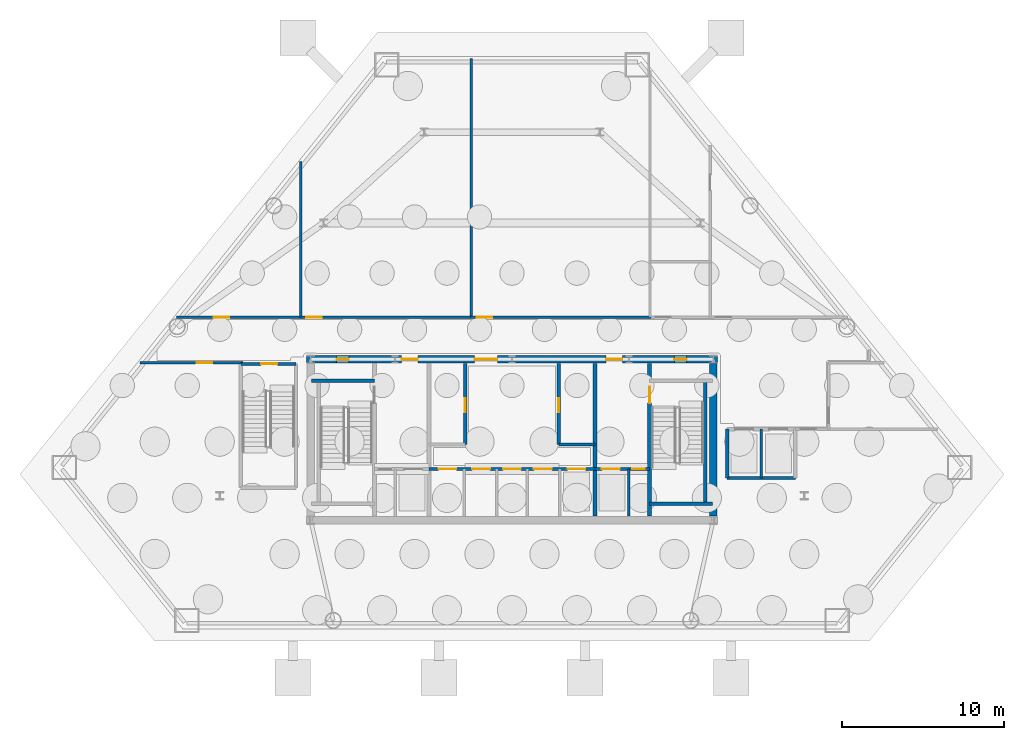
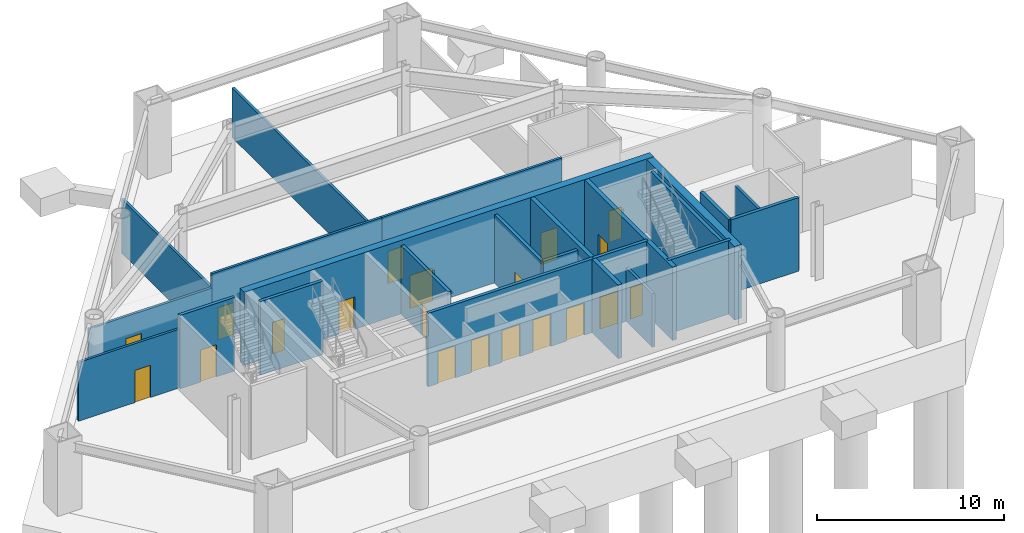
# One storey, part 4 of 8: 23 walls, 20 doors, 20 openings.
"""IFC4 building model written with IfcOpenShell, lengths in metres."""

from ifc_helpers import new_model, si_unit, direction, frame, frame_2d, origin, place, context, subcontext, project, spatial, rectangle, extrude, material, layer, layer_set, type_object, element, fill, save


model = new_model("IFC4")

# Units and contexts
model_context = context("Model", 3, precision=1e-05, world=origin(), true_north=direction((0.0, 1.0)))
body_context = subcontext(model_context, "Body", "Model", "MODEL_VIEW")
ifc_project = project(units=[si_unit("LENGTHUNIT", "METRE"), si_unit("AREAUNIT", "SQUARE_METRE"), si_unit("VOLUMEUNIT", "CUBIC_METRE"), si_unit("PLANEANGLEUNIT", "RADIAN"), si_unit("MASSUNIT", "GRAM", prefix="KILO")], contexts=[model_context])

# Site, building, storey
site_placement = place(None, origin())
site = spatial("IfcSite", under=ifc_project, at=site_placement, CompositionType="ELEMENT")
building_placement = place(site_placement, origin())
building = spatial("IfcBuilding", under=site, at=building_placement, Name="Talgorran Terracotta Tower", CompositionType="ELEMENT")
storey_placement = place(building_placement, frame((0.0, 0.0, -4.800048828125)))
storey = spatial("IfcBuildingStorey", under=building, at=storey_placement, Name="B1", CompositionType="ELEMENT", Elevation=-4.800048828125)

# Walls
ifc_material_1 = material(Name="Concrete C50/60", Category="concrete")
ifc_layer_1 = layer(ifc_material_1, 0.199951171875, Name="WT_CORE_200")
ifc_layer_set_1 = layer_set([ifc_layer_1], Name="Concrete C50/60")
wall_type_1 = type_object("IfcWallType", Name="WT_CORE_200", PredefinedType="SOLIDWALL", material=ifc_layer_set_1)
for number, where, z_axis, x_axis, name in (
    (1, (-12.35009765625, -5.52001953125, 0.0), (0.0, 0.0, 1.0), (1.0, 0.0, 0.0), "WL-B1-CW-ST1-N"),
    (2, (8.47998046875, -13.10009765625, 0.0), (0.0, 0.0, 1.0), (1.0, 0.0, 0.0), "WL-B1-CW-ST2-S"),
):
    element("IfcWall", number, at=place(storey_placement, frame(where, z_axis=z_axis, x_axis=x_axis)), inside=storey, type_object=wall_type_1, Name=name, PredefinedType="SOLIDWALL", context=body_context, shape_type="SweptSolid", body=[
        extrude(rectangle(XDim=3.8701171875, YDim=0.199951171875, at=frame_2d((1.93505859375, 0.0))), origin(), (0.0, 0.0, 1.0), 4.800048828125),
    ])
wall_1_placement = place(storey_placement, frame((11.89990234375, -13.10009765625, 0.0), z_axis=(0.0, 0.0, 1.0), x_axis=(0.0, 1.0, 0.0)))
element("IfcWall", 3, at=wall_1_placement, inside=storey, type_object=wall_type_1, Name="WL-B1-CW-ST2-E", PredefinedType="SOLIDWALL", context=body_context, shape_type="SweptSolid", body=[
    extrude(rectangle(XDim=7.580078125, YDim=0.199951171875, at=frame_2d((3.7900390625, 0.0))), origin(), (0.0, 0.0, 1.0), 4.800048828125),
])

# Wall, openings, doors
wall_2_placement = place(storey_placement, frame((-5.1201171875, -10.949951171875, 0.0), z_axis=(0.0, 0.0, 1.0), x_axis=(1.0, 0.0, 0.0)))
wall_2 = element("IfcWall", 4, at=wall_2_placement, inside=storey, type_object=wall_type_1, Name="WL-B1-CW-H-SBC", PredefinedType="SOLIDWALL", context=body_context, shape_type="SweptSolid", body=[
    extrude(rectangle(XDim=10.240234375, YDim=0.199951171875, at=frame_2d((5.1201171875, 0.0))), origin(), (0.0, 0.0, 1.0), 4.800048828125),
])
opening_1_placement = place(wall_2_placement, frame((0.60009765625, 0.0, 0.0)))
opening_1 = element("IfcOpeningElement", 5, at=opening_1_placement, cuts=wall_2, Name="Opening LD-OB1", PredefinedType="OPENING", context=body_context, shape_type="SweptSolid", body=[
    extrude(rectangle(XDim=1.10609765625, YDim=2.10409765625, at=frame_2d((0.550048828125, 1.052001953125))), frame((0.0, 0.10986328125, 0.0), z_axis=(0.0, -1.0, 0.0), x_axis=(1.0, 0.0, 0.0)), (0.0, 0.0, 1.0), 0.219970703125),
])
opening_2_placement = place(wall_2_placement, frame((2.669921875, 0.0, 0.0)))
opening_2 = element("IfcOpeningElement", 6, at=opening_2_placement, cuts=wall_2, Name="Opening LD-PLH1", PredefinedType="OPENING", context=body_context, shape_type="SweptSolid", body=[
    extrude(rectangle(XDim=1.10609765625, YDim=2.10409765625, at=frame_2d((0.550048828125, 1.052001953125))), frame((0.0, 0.10986328125, 0.0), z_axis=(0.0, -1.0, 0.0), x_axis=(1.0, 0.0, 0.0)), (0.0, 0.0, 1.0), 0.219970703125),
])
opening_3_placement = place(wall_2_placement, frame((4.570068359375, 0.0, 0.0)))
opening_3 = element("IfcOpeningElement", 7, at=opening_3_placement, cuts=wall_2, Name="Opening LD-PLH2", PredefinedType="OPENING", context=body_context, shape_type="SweptSolid", body=[
    extrude(rectangle(XDim=1.10609765625, YDim=2.10409765625, at=frame_2d((0.550048828125, 1.052001953125))), frame((0.0, 0.10986328125, 0.0), z_axis=(0.0, -1.0, 0.0), x_axis=(1.0, 0.0, 0.0)), (0.0, 0.0, 1.0), 0.219970703125),
])
opening_4_placement = place(wall_2_placement, frame((6.469970703125, 0.0, 0.0)))
opening_4 = element("IfcOpeningElement", 8, at=opening_4_placement, cuts=wall_2, Name="Opening LD-PLH3", PredefinedType="OPENING", context=body_context, shape_type="SweptSolid", body=[
    extrude(rectangle(XDim=1.10609765625, YDim=2.10409765625, at=frame_2d((0.550048828125, 1.052001953125))), frame((0.0, 0.10986328125, 0.0), z_axis=(0.0, -1.0, 0.0), x_axis=(1.0, 0.0, 0.0)), (0.0, 0.0, 1.0), 0.219970703125),
])
opening_5_placement = place(wall_2_placement, frame((8.5400390625, 0.0, 0.0)))
opening_5 = element("IfcOpeningElement", 9, at=opening_5_placement, cuts=wall_2, Name="Opening LD-SVL1", PredefinedType="OPENING", context=body_context, shape_type="SweptSolid", body=[
    extrude(rectangle(XDim=1.10609765625, YDim=2.10409765625, at=frame_2d((0.550048828125, 1.052001953125))), frame((0.0, 0.10986328125, 0.0), z_axis=(0.0, -1.0, 0.0), x_axis=(1.0, 0.0, 0.0)), (0.0, 0.0, 1.0), 0.219970703125),
])
ifc_material_2 = material(Name="Brushed Stainless Steel Grade 304", Category="steel")
door_type_1 = type_object("IfcDoorType", Name="DT_LIFT_LD1100", OperationType="DOUBLE_DOOR_SLIDING", PredefinedType="DOOR", material=ifc_material_2)
door_1_placement = place(opening_1_placement, origin())
door_1 = element("IfcDoor", 10, at=door_1_placement, inside=storey, type_object=door_type_1, Name="B1 Lift Landing Door LD-OB1", OperationType="DOUBLE_DOOR_SLIDING", OverallHeight=2.10009765625, OverallWidth=1.10009765625, PredefinedType="DOOR", context=body_context, shape_type="SweptSolid", body=[
    extrude(rectangle(XDim=1.10009765625, YDim=2.10009765625, at=frame_2d((0.550048828125, 1.050048828125))), frame((0.0, 0.02490234375, 0.0), z_axis=(0.0, -1.0, 0.0), x_axis=(1.0, 0.0, 0.0)), (0.0, 0.0, 1.0), 0.050048828125),
])
fill(opening_1, door_1)
door_2_placement = place(opening_2_placement, origin())
door_2 = element("IfcDoor", 11, at=door_2_placement, inside=storey, type_object=door_type_1, Name="B1 Lift Landing Door LD-PLH1", OperationType="DOUBLE_DOOR_SLIDING", OverallHeight=2.10009765625, OverallWidth=1.10009765625, PredefinedType="DOOR", context=body_context, shape_type="SweptSolid", body=[
    extrude(rectangle(XDim=1.10009765625, YDim=2.10009765625, at=frame_2d((0.550048828125, 1.050048828125))), frame((0.0, 0.02490234375, 0.0), z_axis=(0.0, -1.0, 0.0), x_axis=(1.0, 0.0, 0.0)), (0.0, 0.0, 1.0), 0.050048828125),
])
fill(opening_2, door_2)
door_3_placement = place(opening_3_placement, origin())
door_3 = element("IfcDoor", 12, at=door_3_placement, inside=storey, type_object=door_type_1, Name="B1 Lift Landing Door LD-PLH2", OperationType="DOUBLE_DOOR_SLIDING", OverallHeight=2.10009765625, OverallWidth=1.10009765625, PredefinedType="DOOR", context=body_context, shape_type="SweptSolid", body=[
    extrude(rectangle(XDim=1.10009765625, YDim=2.10009765625, at=frame_2d((0.550048828125, 1.050048828125))), frame((0.0, 0.02490234375, 0.0), z_axis=(0.0, -1.0, 0.0), x_axis=(1.0, 0.0, 0.0)), (0.0, 0.0, 1.0), 0.050048828125),
])
fill(opening_3, door_3)
door_4_placement = place(opening_4_placement, origin())
door_4 = element("IfcDoor", 13, at=door_4_placement, inside=storey, type_object=door_type_1, Name="B1 Lift Landing Door LD-PLH3", OperationType="DOUBLE_DOOR_SLIDING", OverallHeight=2.10009765625, OverallWidth=1.10009765625, PredefinedType="DOOR", context=body_context, shape_type="SweptSolid", body=[
    extrude(rectangle(XDim=1.10009765625, YDim=2.10009765625, at=frame_2d((0.550048828125, 1.050048828125))), frame((0.0, 0.02490234375, 0.0), z_axis=(0.0, -1.0, 0.0), x_axis=(1.0, 0.0, 0.0)), (0.0, 0.0, 1.0), 0.050048828125),
])
fill(opening_4, door_4)
door_5_placement = place(opening_5_placement, origin())
door_5 = element("IfcDoor", 14, at=door_5_placement, inside=storey, type_object=door_type_1, Name="B1 Lift Landing Door LD-SVL1", OperationType="DOUBLE_DOOR_SLIDING", OverallHeight=2.10009765625, OverallWidth=1.10009765625, PredefinedType="DOOR", context=body_context, shape_type="SweptSolid", body=[
    extrude(rectangle(XDim=1.10009765625, YDim=2.10009765625, at=frame_2d((0.550048828125, 1.050048828125))), frame((0.0, 0.02490234375, 0.0), z_axis=(0.0, -1.0, 0.0), x_axis=(1.0, 0.0, 0.0)), (0.0, 0.0, 1.0), 0.050048828125),
])
fill(opening_5, door_5)

wall_3_placement = place(storey_placement, frame((5.1201171875, -10.949951171875, 0.0), z_axis=(0.0, 0.0, 1.0), x_axis=(1.0, 0.0, 0.0)))
wall_3 = element("IfcWall", 15, at=wall_3_placement, inside=storey, type_object=wall_type_1, Name="WL-B1-CW-H-SBE", PredefinedType="SOLIDWALL", context=body_context, shape_type="SweptSolid", body=[
    extrude(rectangle(XDim=3.35986328125, YDim=0.199951171875, at=frame_2d((1.679931640625, 0.0))), origin(), (0.0, 0.0, 1.0), 4.800048828125),
])
opening_6_placement = place(wall_3_placement, frame((0.419921875, 0.0, 0.0)))
opening_6 = element("IfcOpeningElement", 16, at=opening_6_placement, cuts=wall_3, Name="Opening LD-FFL2", PredefinedType="OPENING", context=body_context, shape_type="SweptSolid", body=[
    extrude(rectangle(XDim=1.10609765625, YDim=2.10409765625, at=frame_2d((0.550048828125, 1.052001953125))), frame((0.0, 0.10986328125, 0.0), z_axis=(0.0, -1.0, 0.0), x_axis=(1.0, 0.0, 0.0)), (0.0, 0.0, 1.0), 0.219970703125),
])
opening_7_placement = place(wall_3_placement, frame((2.300048828125, 0.0, 0.0)))
opening_7 = element("IfcOpeningElement", 17, at=opening_7_placement, cuts=wall_3, Name="Opening DR-RSE", PredefinedType="OPENING", context=body_context, shape_type="SweptSolid", body=[
    extrude(rectangle(XDim=0.756, YDim=2.054048828125, at=frame_2d((0.375, 1.027099609375))), frame((0.0, 0.10986328125, 0.0), z_axis=(0.0, -1.0, 0.0), x_axis=(1.0, 0.0, 0.0)), (0.0, 0.0, 1.0), 0.219970703125),
])
door_6_placement = place(opening_6_placement, origin())
door_6 = element("IfcDoor", 18, at=door_6_placement, inside=storey, type_object=door_type_1, Name="B1 Lift Landing Door LD-FFL2", OperationType="DOUBLE_DOOR_SLIDING", OverallHeight=2.10009765625, OverallWidth=1.10009765625, PredefinedType="DOOR", context=body_context, shape_type="SweptSolid", body=[
    extrude(rectangle(XDim=1.10009765625, YDim=2.10009765625, at=frame_2d((0.550048828125, 1.050048828125))), frame((0.0, 0.02490234375, 0.0), z_axis=(0.0, -1.0, 0.0), x_axis=(1.0, 0.0, 0.0)), (0.0, 0.0, 1.0), 0.050048828125),
])
fill(opening_6, door_6)
ifc_material_3 = material(Name="Fire-Rated Pressed Steel", Category="steel")
door_type_2 = type_object("IfcDoorType", Name="DT_RISER_750", OperationType="NOTDEFINED", PredefinedType="DOOR", material=ifc_material_3)
door_7_placement = place(opening_7_placement, origin())
door_7 = element("IfcDoor", 19, at=door_7_placement, inside=storey, type_object=door_type_2, Name="DR-RSE", OperationType="SINGLE_SWING_RIGHT", OverallHeight=2.050048828125, OverallWidth=0.75, PredefinedType="DOOR", context=body_context, shape_type="SweptSolid", body=[
    extrude(rectangle(XDim=0.75, YDim=2.050048828125, at=frame_2d((0.375, 1.02490234375))), frame((0.0, 0.02490234375, 0.0), z_axis=(0.0, -1.0, 0.0), x_axis=(1.0, 0.0, 0.0)), (0.0, 0.0, 1.0), 0.050048828125),
])
fill(opening_7, door_7)

# Wall, opening, door
wall_4_placement = place(storey_placement, frame((-2.8798828125, -9.449951171875, 0.0), z_axis=(0.0, 0.0, 1.0), x_axis=(0.0, 1.0, 0.0)))
wall_4 = element("IfcWall", 20, at=wall_4_placement, inside=storey, type_object=wall_type_1, Name="WL-B1-CW-V-W3", PredefinedType="SOLIDWALL", context=body_context, shape_type="SweptSolid", body=[
    extrude(rectangle(XDim=5.0, YDim=0.199951171875, at=frame_2d((2.5, 0.0))), origin(), (0.0, 0.0, 1.0), 4.47998046875),
])
opening_8_placement = place(wall_4_placement, frame((2.0, 0.0, 0.0)))
opening_8 = element("IfcOpeningElement", 21, at=opening_8_placement, cuts=wall_4, Name="Opening DR-WPIT", PredefinedType="OPENING", context=body_context, shape_type="SweptSolid", body=[
    extrude(rectangle(XDim=0.85609765625, YDim=2.054048828125, at=frame_2d((0.425048828125, 1.027099609375))), frame((0.0, 0.10986328125, 0.0), z_axis=(0.0, -1.0, 0.0), x_axis=(1.0, 0.0, 0.0)), (0.0, 0.0, 1.0), 0.219970703125),
])
door_type_3 = type_object("IfcDoorType", Name="DT_FIRE_850", OperationType="NOTDEFINED", PredefinedType="DOOR", material=ifc_material_3)
door_8_placement = place(opening_8_placement, origin())
door_8 = element("IfcDoor", 22, at=door_8_placement, inside=storey, type_object=door_type_3, Name="DR-WPIT", OperationType="SINGLE_SWING_LEFT", OverallHeight=2.050048828125, OverallWidth=0.85009765625, PredefinedType="DOOR", context=body_context, shape_type="SweptSolid", body=[
    extrude(rectangle(XDim=0.85009765625, YDim=2.050048828125, at=frame_2d((0.425048828125, 1.02490234375))), frame((0.0, 0.02490234375, 0.0), z_axis=(0.0, -1.0, 0.0), x_axis=(1.0, 0.0, 0.0)), (0.0, 0.0, 1.0), 0.050048828125),
])
fill(opening_8, door_8)

wall_5_placement = place(storey_placement, frame((2.8798828125, -9.449951171875, 0.0), z_axis=(0.0, 0.0, 1.0), x_axis=(0.0, 1.0, 0.0)))
wall_5 = element("IfcWall", 23, at=wall_5_placement, inside=storey, type_object=wall_type_1, Name="WL-B1-CW-V-E3", PredefinedType="SOLIDWALL", context=body_context, shape_type="SweptSolid", body=[
    extrude(rectangle(XDim=5.0, YDim=0.199951171875, at=frame_2d((2.5, 0.0))), origin(), (0.0, 0.0, 1.0), 4.47998046875),
])
opening_9_placement = place(wall_5_placement, frame((2.0, 0.0, 0.0)))
opening_9 = element("IfcOpeningElement", 24, at=opening_9_placement, cuts=wall_5, Name="Opening DR-EPIT", PredefinedType="OPENING", context=body_context, shape_type="SweptSolid", body=[
    extrude(rectangle(XDim=0.85609765625, YDim=2.054048828125, at=frame_2d((0.425048828125, 1.027099609375))), frame((0.0, 0.10986328125, 0.0), z_axis=(0.0, -1.0, 0.0), x_axis=(1.0, 0.0, 0.0)), (0.0, 0.0, 1.0), 0.219970703125),
])
door_9_placement = place(opening_9_placement, origin())
door_9 = element("IfcDoor", 25, at=door_9_placement, inside=storey, type_object=door_type_3, Name="DR-EPIT", OperationType="SINGLE_SWING_RIGHT", OverallHeight=2.050048828125, OverallWidth=0.85009765625, PredefinedType="DOOR", context=body_context, shape_type="SweptSolid", body=[
    extrude(rectangle(XDim=0.85009765625, YDim=2.050048828125, at=frame_2d((0.425048828125, 1.02490234375))), frame((0.0, 0.02490234375, 0.0), z_axis=(0.0, -1.0, 0.0), x_axis=(1.0, 0.0, 0.0)), (0.0, 0.0, 1.0), 0.050048828125),
])
fill(opening_9, door_9)

# Walls
wall_6_placement = place(storey_placement, frame((2.8798828125, -9.449951171875, 0.0), z_axis=(0.0, 0.0, 1.0), x_axis=(1.0, 0.0, 0.0)))
element("IfcWall", 26, at=wall_6_placement, inside=storey, type_object=wall_type_1, Name="WL-B1-CW-H-E4", PredefinedType="SOLIDWALL", context=body_context, shape_type="SweptSolid", body=[
    extrude(rectangle(XDim=2.240234375, YDim=0.199951171875, at=frame_2d((1.1201171875, 0.0))), origin(), (0.0, 0.0, 1.0), 4.47998046875),
])
wall_7_placement = place(storey_placement, frame((13.25, -11.5, 0.0), z_axis=(0.0, 0.0, 1.0), x_axis=(1.0, 0.0, 0.0)))
element("IfcWall", 27, at=wall_7_placement, inside=storey, type_object=wall_type_1, Name="WL-B1-PW-HL-S", PredefinedType="SOLIDWALL", context=body_context, shape_type="SweptSolid", body=[
    extrude(rectangle(XDim=4.199951171875, YDim=0.199951171875, at=frame_2d((2.10009765625, 0.0))), origin(), (0.0, 0.0, 1.0), 4.800048828125),
])

# Wall, opening, door
wall_8_placement = place(storey_placement, frame((-16.699951171875, -4.47998046875, 0.0), z_axis=(0.0, 0.0, 1.0), x_axis=(1.0, 0.0, 0.0)))
wall_8 = element("IfcWall", 28, at=wall_8_placement, inside=storey, type_object=wall_type_1, Name="WL-B1-PW-ST3-N", PredefinedType="SOLIDWALL", context=body_context, shape_type="SweptSolid", body=[
    extrude(rectangle(XDim=3.39990234375, YDim=0.199951171875, at=frame_2d((1.699951171875, 0.0))), origin(), (0.0, 0.0, 1.0), 4.800048828125),
])
opening_10_placement = place(wall_8_placement, frame((1.25, 0.0, 0.0)))
opening_10 = element("IfcOpeningElement", 29, at=opening_10_placement, cuts=wall_8, Name="Opening DR-ST03", PredefinedType="OPENING", context=body_context, shape_type="SweptSolid", body=[
    extrude(rectangle(XDim=1.006, YDim=2.10409765625, at=frame_2d((0.5, 1.052001953125))), frame((0.0, 0.10986328125, 0.0), z_axis=(0.0, -1.0, 0.0), x_axis=(1.0, 0.0, 0.0)), (0.0, 0.0, 1.0), 0.219970703125),
])
door_type_4 = type_object("IfcDoorType", Name="DT_FIRE_1000", OperationType="NOTDEFINED", PredefinedType="DOOR", material=ifc_material_3)
door_10_placement = place(opening_10_placement, origin())
door_10 = element("IfcDoor", 30, at=door_10_placement, inside=storey, type_object=door_type_4, Name="DR-ST03", OperationType="SINGLE_SWING_LEFT", OverallHeight=2.10009765625, OverallWidth=1.0, PredefinedType="DOOR", context=body_context, shape_type="SweptSolid", body=[
    extrude(rectangle(XDim=1.0, YDim=2.10009765625, at=frame_2d((0.5, 1.050048828125))), frame((0.0, 0.02490234375, 0.0), z_axis=(0.0, -1.0, 0.0), x_axis=(1.0, 0.0, 0.0)), (0.0, 0.0, 1.0), 0.050048828125),
])
fill(opening_10, door_10)

# Wall
wall_9_placement = place(storey_placement, frame((13.25, -11.5, 0.0), z_axis=(0.0, 0.0, 1.0), x_axis=(0.0, 1.0, 0.0)))
element("IfcWall", 31, at=wall_9_placement, inside=storey, type_object=wall_type_1, Name="WL-B1-PW-HL-W", PredefinedType="SOLIDWALL", context=body_context, shape_type="SweptSolid", body=[
    extrude(rectangle(XDim=3.0, YDim=0.199951171875, at=frame_2d((1.5, 0.0))), origin(), (0.0, 0.0, 1.0), 4.800048828125),
])

# Wall, opening, door
ifc_layer_2 = layer(ifc_material_1, 0.25, Name="WT_CORE_250")
ifc_layer_set_2 = layer_set([ifc_layer_2], Name="Concrete C50/60")
wall_type_2 = type_object("IfcWallType", Name="WT_CORE_250", PredefinedType="SHEAR", material=ifc_layer_set_2)
wall_10_placement = place(storey_placement, frame((8.47998046875, -13.85009765625, 0.0), z_axis=(0.0, 0.0, 1.0), x_axis=(0.0, 1.0, 0.0)))
wall_10 = element("IfcWall", 32, at=wall_10_placement, inside=storey, type_object=wall_type_2, Name="WL-B1-CW-V-E1", PredefinedType="SHEAR", context=body_context, shape_type="SweptSolid", body=[
    extrude(rectangle(XDim=9.400146484375, YDim=0.25, at=frame_2d((4.7001953125, 0.0))), origin(), (0.0, 0.0, 1.0), 4.800048828125),
])
opening_11_placement = place(wall_10_placement, frame((6.949951171875, 0.0, 0.0)))
opening_11 = element("IfcOpeningElement", 33, at=opening_11_placement, cuts=wall_10, Name="Opening DR-ST02", PredefinedType="OPENING", context=body_context, shape_type="SweptSolid", body=[
    extrude(rectangle(XDim=1.006, YDim=2.10409765625, at=frame_2d((0.5, 1.052001953125))), frame((0.0, 0.135009765625, 0.0), z_axis=(0.0, -1.0, 0.0), x_axis=(1.0, 0.0, 0.0)), (0.0, 0.0, 1.0), 0.27001953125),
])
door_11_placement = place(opening_11_placement, origin())
door_11 = element("IfcDoor", 34, at=door_11_placement, inside=storey, type_object=door_type_4, Name="DR-ST02", OperationType="SINGLE_SWING_RIGHT", OverallHeight=2.10009765625, OverallWidth=1.0, PredefinedType="DOOR", context=body_context, shape_type="SweptSolid", body=[
    extrude(rectangle(XDim=1.0, YDim=2.10009765625, at=frame_2d((0.5, 1.050048828125))), frame((0.0, 0.02490234375, 0.0), z_axis=(0.0, -1.0, 0.0), x_axis=(1.0, 0.0, 0.0)), (0.0, 0.0, 1.0), 0.050048828125),
])
fill(opening_11, door_11)

# Wall
wall_11_placement = place(storey_placement, frame((5.1201171875, -13.85009765625, 0.0), z_axis=(0.0, 0.0, 1.0), x_axis=(0.0, 1.0, 0.0)))
element("IfcWall", 35, at=wall_11_placement, inside=storey, type_object=wall_type_2, Name="WL-B1-CW-V-E2", PredefinedType="SHEAR", context=body_context, shape_type="SweptSolid", body=[
    extrude(rectangle(XDim=9.400146484375, YDim=0.25, at=frame_2d((4.7001953125, 0.0))), origin(), (0.0, 0.0, 1.0), 4.800048828125),
])

# Wall, openings, doors
ifc_material_4 = material(Name="Concrete C65/80", Category="concrete")
ifc_layer_3 = layer(ifc_material_4, 0.449951171875, Name="WT_CORE_EXT")
ifc_layer_set_3 = layer_set([ifc_layer_3], Name="Concrete C65/80")
wall_type_3 = type_object("IfcWallType", Name="WT_CORE_EXT", PredefinedType="SHEAR", material=ifc_layer_set_3)
wall_12_placement = place(storey_placement, frame((-12.64990234375, -4.199951171875, 0.0), z_axis=(0.0, 0.0, 1.0), x_axis=(1.0, 0.0, 0.0)))
wall_12 = element("IfcWall", 36, at=wall_12_placement, inside=storey, type_object=wall_type_3, Name="WL-B1-CW-OUT-N", PredefinedType="SHEAR", context=body_context, shape_type="SweptSolid", body=[
    extrude(rectangle(XDim=25.2998046875, YDim=0.449951171875, at=frame_2d((12.64990234375, 0.0))), origin(), (0.0, 0.0, 1.0), 4.800048828125),
])
opening_12_placement = place(wall_12_placement, frame((1.85009765625, 0.0, 0.0)))
opening_12 = element("IfcOpeningElement", 37, at=opening_12_placement, cuts=wall_12, Name="Opening DR-CSN1", PredefinedType="OPENING", context=body_context, shape_type="SweptSolid", body=[
    extrude(rectangle(XDim=0.756, YDim=2.054048828125, at=frame_2d((0.375, 1.027099609375))), frame((0.0, 0.23486328125, 0.0), z_axis=(0.0, -1.0, 0.0), x_axis=(1.0, 0.0, 0.0)), (0.0, 0.0, 1.0), 0.469970703125),
])
opening_13_placement = place(wall_12_placement, frame((22.64990234375, 0.0, 0.0)))
opening_13 = element("IfcOpeningElement", 38, at=opening_13_placement, cuts=wall_12, Name="Opening DR-CSN2", PredefinedType="OPENING", context=body_context, shape_type="SweptSolid", body=[
    extrude(rectangle(XDim=0.756, YDim=2.054048828125, at=frame_2d((0.375, 1.027099609375))), frame((0.0, 0.23486328125, 0.0), z_axis=(0.0, -1.0, 0.0), x_axis=(1.0, 0.0, 0.0)), (0.0, 0.0, 1.0), 0.469970703125),
])
opening_14_placement = place(wall_12_placement, frame((5.85009765625, 0.0, 0.0)))
opening_14 = element("IfcOpeningElement", 39, at=opening_14_placement, cuts=wall_12, Name="Opening DR-FFLW-N", PredefinedType="OPENING", context=body_context, shape_type="SweptSolid", body=[
    extrude(rectangle(XDim=1.006, YDim=2.10409765625, at=frame_2d((0.5, 1.052001953125))), frame((0.0, 0.23486328125, 0.0), z_axis=(0.0, -1.0, 0.0), x_axis=(1.0, 0.0, 0.0)), (0.0, 0.0, 1.0), 0.469970703125),
])
opening_15_placement = place(wall_12_placement, frame((10.35009765625, 0.0, 0.0)))
opening_15 = element("IfcOpeningElement", 40, at=opening_15_placement, cuts=wall_12, Name="Opening DR-PLL-N", PredefinedType="OPENING", context=body_context, shape_type="SweptSolid", body=[
    extrude(rectangle(XDim=1.40590234375, YDim=2.15390234375, at=frame_2d((0.699951171875, 1.076904296875))), frame((0.0, 0.23486328125, 0.0), z_axis=(0.0, -1.0, 0.0), x_axis=(1.0, 0.0, 0.0)), (0.0, 0.0, 1.0), 0.469970703125),
])
opening_16_placement = place(wall_12_placement, frame((18.449951171875, 0.0, 0.0)))
opening_16 = element("IfcOpeningElement", 41, at=opening_16_placement, cuts=wall_12, Name="Opening DR-FFLE-N", PredefinedType="OPENING", context=body_context, shape_type="SweptSolid", body=[
    extrude(rectangle(XDim=1.006, YDim=2.10409765625, at=frame_2d((0.5, 1.052001953125))), frame((0.0, 0.23486328125, 0.0), z_axis=(0.0, -1.0, 0.0), x_axis=(1.0, 0.0, 0.0)), (0.0, 0.0, 1.0), 0.469970703125),
])
ifc_material_5 = material(Name="Acoustic Glazed Timber", Category="wood")
door_type_5 = type_object("IfcDoorType", Name="DT_DOUBLE_1400", OperationType="DOUBLE_DOOR_SINGLE_SWING", PredefinedType="DOOR", material=ifc_material_5)
door_12_placement = place(opening_15_placement, origin())
door_12 = element("IfcDoor", 42, at=door_12_placement, inside=storey, type_object=door_type_5, Name="DR-PLL-N", OperationType="DOUBLE_DOOR_SINGLE_SWING", OverallHeight=2.14990234375, OverallWidth=1.39990234375, PredefinedType="DOOR", context=body_context, shape_type="SweptSolid", body=[
    extrude(rectangle(XDim=1.39990234375, YDim=2.14990234375, at=frame_2d((0.699951171875, 1.074951171875))), frame((0.0, 0.02490234375, 0.0), z_axis=(0.0, -1.0, 0.0), x_axis=(1.0, 0.0, 0.0)), (0.0, 0.0, 1.0), 0.050048828125),
])
fill(opening_15, door_12)
door_13_placement = place(opening_14_placement, origin())
door_13 = element("IfcDoor", 43, at=door_13_placement, inside=storey, type_object=door_type_4, Name="DR-FFLW-N", OperationType="SINGLE_SWING_LEFT", OverallHeight=2.10009765625, OverallWidth=1.0, PredefinedType="DOOR", context=body_context, shape_type="SweptSolid", body=[
    extrude(rectangle(XDim=1.0, YDim=2.10009765625, at=frame_2d((0.5, 1.050048828125))), frame((0.0, 0.02490234375, 0.0), z_axis=(0.0, -1.0, 0.0), x_axis=(1.0, 0.0, 0.0)), (0.0, 0.0, 1.0), 0.050048828125),
])
fill(opening_14, door_13)
door_14_placement = place(opening_16_placement, origin())
door_14 = element("IfcDoor", 44, at=door_14_placement, inside=storey, type_object=door_type_4, Name="DR-FFLE-N", OperationType="SINGLE_SWING_RIGHT", OverallHeight=2.10009765625, OverallWidth=1.0, PredefinedType="DOOR", context=body_context, shape_type="SweptSolid", body=[
    extrude(rectangle(XDim=1.0, YDim=2.10009765625, at=frame_2d((0.5, 1.050048828125))), frame((0.0, 0.02490234375, 0.0), z_axis=(0.0, -1.0, 0.0), x_axis=(1.0, 0.0, 0.0)), (0.0, 0.0, 1.0), 0.050048828125),
])
fill(opening_16, door_14)
door_15_placement = place(opening_12_placement, origin())
door_15 = element("IfcDoor", 45, at=door_15_placement, inside=storey, type_object=door_type_2, Name="DR-CSN1", OperationType="SINGLE_SWING_LEFT", OverallHeight=2.050048828125, OverallWidth=0.75, PredefinedType="DOOR", context=body_context, shape_type="SweptSolid", body=[
    extrude(rectangle(XDim=0.75, YDim=2.050048828125, at=frame_2d((0.375, 1.02490234375))), frame((0.0, 0.02490234375, 0.0), z_axis=(0.0, -1.0, 0.0), x_axis=(1.0, 0.0, 0.0)), (0.0, 0.0, 1.0), 0.050048828125),
])
fill(opening_12, door_15)
door_16_placement = place(opening_13_placement, origin())
door_16 = element("IfcDoor", 46, at=door_16_placement, inside=storey, type_object=door_type_2, Name="DR-CSN2", OperationType="SINGLE_SWING_RIGHT", OverallHeight=2.050048828125, OverallWidth=0.75, PredefinedType="DOOR", context=body_context, shape_type="SweptSolid", body=[
    extrude(rectangle(XDim=0.75, YDim=2.050048828125, at=frame_2d((0.375, 1.02490234375))), frame((0.0, 0.02490234375, 0.0), z_axis=(0.0, -1.0, 0.0), x_axis=(1.0, 0.0, 0.0)), (0.0, 0.0, 1.0), 0.050048828125),
])
fill(opening_13, door_16)

# Walls
wall_13_placement = place(storey_placement, frame((12.39990234375, -13.85009765625, 0.0), z_axis=(0.0, 0.0, 1.0), x_axis=(0.0, 1.0, 0.0)))
element("IfcWall", 47, at=wall_13_placement, inside=storey, type_object=wall_type_3, Name="WL-B1-CW-OUT-E", PredefinedType="SHEAR", context=body_context, shape_type="SweptSolid", body=[
    extrude(rectangle(XDim=9.400146484375, YDim=0.449951171875, at=frame_2d((4.7001953125, 0.0))), origin(), (0.0, 0.0, 1.0), 4.800048828125),
])
ifc_material_6 = material(Name="Fire-Rated Steel Stud Plasterboard", Category="steel")
ifc_layer_4 = layer(ifc_material_6, 0.14990234375, Name="WT_FIRE_150")
ifc_layer_set_4 = layer_set([ifc_layer_4], Name="Fire-Rated Steel Stud Plasterboard")
wall_type_4 = type_object("IfcWallType", Name="WT_FIRE_150", PredefinedType="PARTITIONING", material=ifc_layer_set_4)
wall_14_placement = place(storey_placement, frame((-2.5, -1.60009765625, 0.0), z_axis=(0.0, 0.0, 1.0), x_axis=(0.0, 1.0, 0.0)))
element("IfcWall", 48, at=wall_14_placement, inside=storey, type_object=wall_type_4, Name="WL-B1-W-B1-R12", PredefinedType="PARTITIONING", context=body_context, shape_type="SweptSolid", body=[
    extrude(rectangle(XDim=15.93603515625, YDim=0.14990234375, at=frame_2d((7.968017578125, 0.0))), origin(), (0.0, 0.0, 1.0), 3.255126953125),
])

# Wall, opening, door
wall_15_placement = place(storey_placement, frame((-2.56005859375, -1.60009765625, 0.0), z_axis=(0.0, 0.0, 1.0), x_axis=(1.0, 0.0, 0.0)))
wall_15 = element("IfcWall", 49, at=wall_15_placement, inside=storey, type_object=wall_type_4, Name="WL-B1-W-B1-R07", PredefinedType="PARTITIONING", context=body_context, shape_type="SweptSolid", body=[
    extrude(rectangle(XDim=11.1201171875, YDim=0.14990234375, at=frame_2d((5.56005859375, 0.0))), origin(), (0.0, 0.0, 1.0), 4.47998046875),
])
opening_17_placement = place(wall_15_placement, frame((0.399169921875, 0.0, 0.0)))
opening_17 = element("IfcOpeningElement", 50, at=opening_17_placement, cuts=wall_15, Name="Opening DR-B1-R06", PredefinedType="OPENING", context=body_context, shape_type="SweptSolid", body=[
    extrude(rectangle(XDim=0.955951171875, YDim=2.10409765625, at=frame_2d((0.47509765625, 1.052001953125))), frame((0.0, 0.0849609375, 0.0), z_axis=(0.0, -1.0, 0.0), x_axis=(1.0, 0.0, 0.0)), (0.0, 0.0, 1.0), 0.169921875),
])
ifc_material_7 = material(Name="Fire-Rated Timber Core", Category="wood")
door_type_6 = type_object("IfcDoorType", Name="DT_FIRE_950", OperationType="NOTDEFINED", PredefinedType="DOOR", material=ifc_material_7)
door_17_placement = place(opening_17_placement, origin())
door_17 = element("IfcDoor", 51, at=door_17_placement, inside=storey, type_object=door_type_6, Name="DR-B1-R06", OperationType="SINGLE_SWING_RIGHT", OverallHeight=2.10009765625, OverallWidth=0.949951171875, PredefinedType="DOOR", context=body_context, shape_type="SweptSolid", body=[
    extrude(rectangle(XDim=0.949951171875, YDim=2.10009765625, at=frame_2d((0.47509765625, 1.050048828125))), frame((0.0, 0.02490234375, 0.0), z_axis=(0.0, -1.0, 0.0), x_axis=(1.0, 0.0, 0.0)), (0.0, 0.0, 1.0), 0.050048828125),
])
fill(opening_17, door_17)

wall_16_placement = place(storey_placement, frame((-13.06005859375, -1.60009765625, 0.0), z_axis=(0.0, 0.0, 1.0), x_axis=(1.0, 0.0, 0.0)))
wall_16 = element("IfcWall", 52, at=wall_16_placement, inside=storey, type_object=wall_type_4, Name="WL-B1-W-B1-R06", PredefinedType="PARTITIONING", context=body_context, shape_type="SweptSolid", body=[
    extrude(rectangle(XDim=10.498046875, YDim=0.14990234375, at=frame_2d((5.2490234375, 0.0))), origin(), (0.0, 0.0, 1.0), 4.47998046875),
])
opening_18_placement = place(wall_16_placement, frame((0.399658203125, 0.0, 0.0)))
opening_18 = element("IfcOpeningElement", 53, at=opening_18_placement, cuts=wall_16, Name="Opening DR-B1-R05", PredefinedType="OPENING", context=body_context, shape_type="SweptSolid", body=[
    extrude(rectangle(XDim=0.955951171875, YDim=2.10409765625, at=frame_2d((0.47509765625, 1.052001953125))), frame((0.0, 0.0849609375, 0.0), z_axis=(0.0, -1.0, 0.0), x_axis=(1.0, 0.0, 0.0)), (0.0, 0.0, 1.0), 0.169921875),
])
door_18_placement = place(opening_18_placement, origin())
door_18 = element("IfcDoor", 54, at=door_18_placement, inside=storey, type_object=door_type_6, Name="DR-B1-R05", OperationType="SINGLE_SWING_LEFT", OverallHeight=2.10009765625, OverallWidth=0.949951171875, PredefinedType="DOOR", context=body_context, shape_type="SweptSolid", body=[
    extrude(rectangle(XDim=0.949951171875, YDim=2.10009765625, at=frame_2d((0.47509765625, 1.050048828125))), frame((0.0, 0.02490234375, 0.0), z_axis=(0.0, -1.0, 0.0), x_axis=(1.0, 0.0, 0.0)), (0.0, 0.0, 1.0), 0.050048828125),
])
fill(opening_18, door_18)

# Wall
wall_17_placement = place(storey_placement, frame((-13.0, -1.60009765625, 0.0), z_axis=(0.0, 0.0, 1.0), x_axis=(0.0, 1.0, 0.0)))
element("IfcWall", 55, at=wall_17_placement, inside=storey, type_object=wall_type_4, Name="WL-B1-W-B1-R11", PredefinedType="PARTITIONING", context=body_context, shape_type="SweptSolid", body=[
    extrude(rectangle(XDim=9.576171875, YDim=0.14990234375, at=frame_2d((4.7880859375, 0.0))), origin(), (0.0, 0.0, 1.0), 3.547119140625),
])

# Wall, opening, door
wall_18_placement = place(storey_placement, frame((-20.669189453125, -1.60009765625, 0.0), z_axis=(0.0, 0.0, 1.0), x_axis=(1.0, 0.0, 0.0)))
wall_18 = element("IfcWall", 56, at=wall_18_placement, inside=storey, type_object=wall_type_4, Name="WL-B1-W-B1-R05", PredefinedType="PARTITIONING", context=body_context, shape_type="SweptSolid", body=[
    extrude(rectangle(XDim=7.607177734375, YDim=0.14990234375, at=frame_2d((3.8037109375, 0.0))), origin(), (0.0, 0.0, 1.0), 3.547119140625),
])
opening_19_placement = place(wall_18_placement, frame((2.2998046875, 0.0, 0.0)))
opening_19 = element("IfcOpeningElement", 57, at=opening_19_placement, cuts=wall_18, Name="Opening DR-B1-R04", PredefinedType="OPENING", context=body_context, shape_type="SweptSolid", body=[
    extrude(rectangle(XDim=0.955951171875, YDim=2.10409765625, at=frame_2d((0.47509765625, 1.052001953125))), frame((0.0, 0.0849609375, 0.0), z_axis=(0.0, -1.0, 0.0), x_axis=(1.0, 0.0, 0.0)), (0.0, 0.0, 1.0), 0.169921875),
])
door_19_placement = place(opening_19_placement, origin())
door_19 = element("IfcDoor", 58, at=door_19_placement, inside=storey, type_object=door_type_6, Name="DR-B1-R04", OperationType="SINGLE_SWING_RIGHT", OverallHeight=2.10009765625, OverallWidth=0.949951171875, PredefinedType="DOOR", context=body_context, shape_type="SweptSolid", body=[
    extrude(rectangle(XDim=0.949951171875, YDim=2.10009765625, at=frame_2d((0.47509765625, 1.050048828125))), frame((0.0, 0.02490234375, 0.0), z_axis=(0.0, -1.0, 0.0), x_axis=(1.0, 0.0, 0.0)), (0.0, 0.0, 1.0), 0.050048828125),
])
fill(opening_19, door_19)

wall_19_placement = place(storey_placement, frame((-22.911865234375, -4.39990234375, 0.0), z_axis=(0.0, 0.0, 1.0), x_axis=(1.0, 0.0, 0.0)))
wall_19 = element("IfcWall", 59, at=wall_19_placement, inside=storey, type_object=wall_type_4, Name="WL-B1-W-B1-R01", PredefinedType="PARTITIONING", context=body_context, shape_type="SweptSolid", body=[
    extrude(rectangle(XDim=6.331787109375, YDim=0.14990234375, at=frame_2d((3.166015625, 0.0))), origin(), (0.0, 0.0, 1.0), 3.843505859375),
])
opening_20_placement = place(wall_19_placement, frame((3.493408203125, 0.0, 0.0)))
opening_20 = element("IfcOpeningElement", 60, at=opening_20_placement, cuts=wall_19, Name="Opening DR-B1-R01", PredefinedType="OPENING", context=body_context, shape_type="SweptSolid", body=[
    extrude(rectangle(XDim=0.955951171875, YDim=2.10409765625, at=frame_2d((0.47509765625, 1.052001953125))), frame((0.0, 0.0849609375, 0.0), z_axis=(0.0, -1.0, 0.0), x_axis=(1.0, 0.0, 0.0)), (0.0, 0.0, 1.0), 0.169921875),
])
door_20_placement = place(opening_20_placement, origin())
door_20 = element("IfcDoor", 61, at=door_20_placement, inside=storey, type_object=door_type_6, Name="DR-B1-R01", OperationType="SINGLE_SWING_LEFT", OverallHeight=2.10009765625, OverallWidth=0.949951171875, PredefinedType="DOOR", context=body_context, shape_type="SweptSolid", body=[
    extrude(rectangle(XDim=0.949951171875, YDim=2.10009765625, at=frame_2d((0.47509765625, 1.050048828125))), frame((0.0, 0.02490234375, 0.0), z_axis=(0.0, -1.0, 0.0), x_axis=(1.0, 0.0, 0.0)), (0.0, 0.0, 1.0), 0.050048828125),
])
fill(opening_20, door_20)

# Walls
ifc_material_8 = material(Name="Fire-Rated Shaftwall")
ifc_layer_5 = layer(ifc_material_8, 0.159912109375, Name="WT_PART_150")
ifc_layer_set_5 = layer_set([ifc_layer_5], Name="Fire-Rated Shaftwall")
wall_type_5 = type_object("IfcWallType", Name="WT_PART_150", PredefinedType="PARTITIONING", material=ifc_layer_set_5)
wall_20_placement = place(storey_placement, frame((7.179931640625, -13.85009765625, 0.0), z_axis=(0.0, 0.0, 1.0), x_axis=(0.0, 1.0, 0.0)))
element("IfcWall", 62, at=wall_20_placement, inside=storey, type_object=wall_type_5, Name="WL-B1-CW-RSE", PredefinedType="PARTITIONING", context=body_context, shape_type="SweptSolid", body=[
    extrude(rectangle(XDim=2.900146484375, YDim=0.159912109375, at=frame_2d((1.4501953125, 0.0))), origin(), (0.0, 0.0, 1.0), 3.505126953125),
])
wall_21_placement = place(storey_placement, frame((15.35009765625, -11.5, 0.0), z_axis=(0.0, 0.0, 1.0), x_axis=(0.0, 1.0, 0.0)))
element("IfcWall", 63, at=wall_21_placement, inside=storey, type_object=wall_type_5, Name="WL-B1-PW-HL-M", PredefinedType="PARTITIONING", context=body_context, shape_type="SweptSolid", body=[
    extrude(rectangle(XDim=3.0, YDim=0.159912109375, at=frame_2d((1.5, 0.0))), origin(), (0.0, 0.0, 1.0), 4.47998046875),
])

save(model, "model.ifc")
